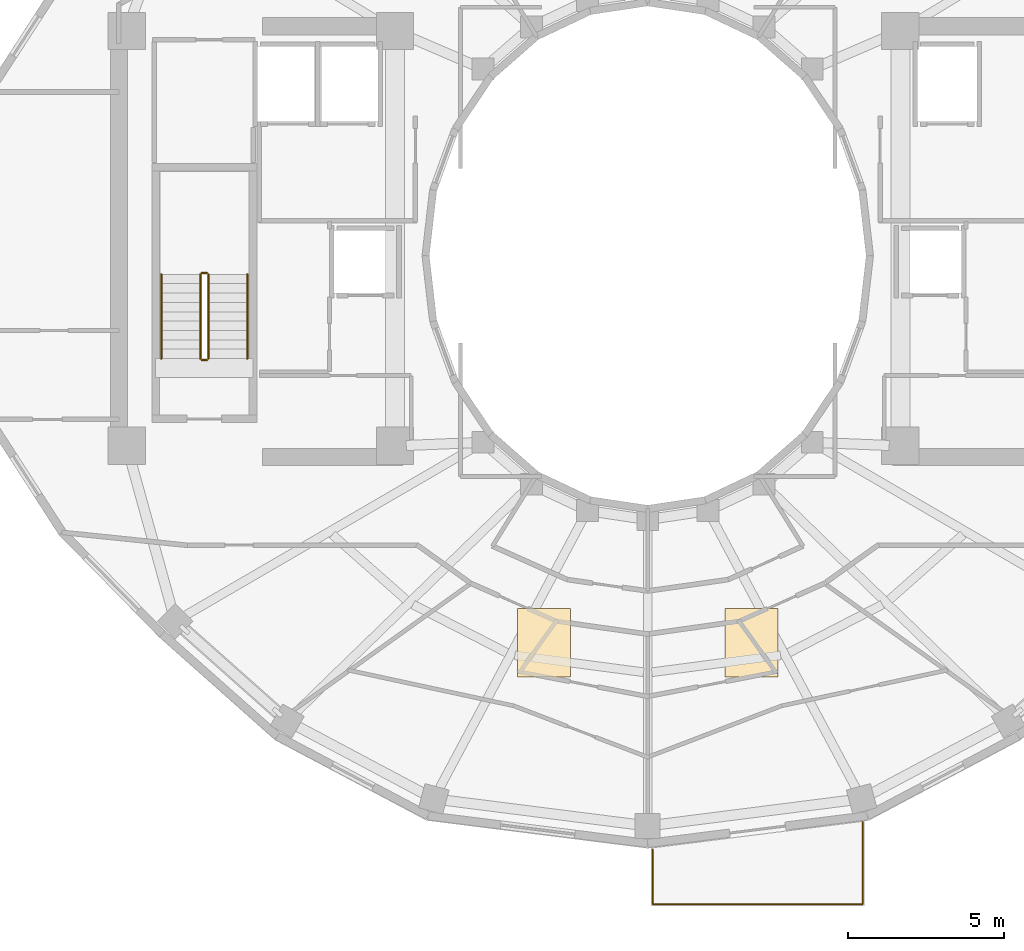
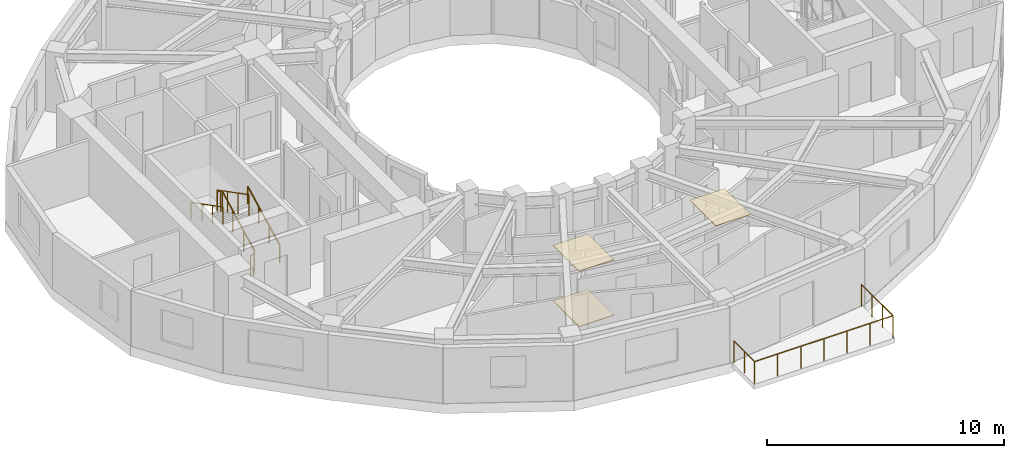
# One storey, part 8 of 9: 7 railings, 3 coverings.
"""IFC4 building model written with IfcOpenShell, lengths in metres."""

from ifc_helpers import new_model, si_unit, direction, frame, origin, origin_2d, place, context, subcontext, project, spatial, polyline, circle, outline, extrude, material, layer, layer_set, type_object, element, save


model = new_model("IFC4")

# Units and contexts
model_context = context("Model", 3, precision=1e-05, world=origin(), true_north=direction((0.0, 1.0)))
body_context = subcontext(model_context, "Body", "Model", "MODEL_VIEW")
ifc_project = project(units=[si_unit("LENGTHUNIT", "METRE"), si_unit("AREAUNIT", "SQUARE_METRE"), si_unit("VOLUMEUNIT", "CUBIC_METRE"), si_unit("PLANEANGLEUNIT", "RADIAN"), si_unit("MASSUNIT", "GRAM", prefix="KILO")], contexts=[model_context])

# Site, building, storey
site_placement = place(None, origin())
site = spatial("IfcSite", under=ifc_project, at=site_placement, CompositionType="ELEMENT")
building_placement = place(site_placement, origin())
building = spatial("IfcBuilding", under=site, at=building_placement, Name="Solvane Sanctuary Tower", CompositionType="ELEMENT")
storey_placement = place(building_placement, frame((0.0, 0.0, 220.199951171875)))
storey = spatial("IfcBuildingStorey", under=building, at=storey_placement, Name="L67", CompositionType="ELEMENT", Elevation=220.199951171875)

# Coverings
ifc_material_1 = material(Name="Acoustic Gypsum Partition Board")
ifc_layer_1 = layer(ifc_material_1, 0.02490234375, Name="Acoustic Gypsum Partition Board")
ifc_layer_set_1 = layer_set([ifc_layer_1], Name="Acoustic Gypsum Partition Board")
covering_type_1 = type_object("IfcCoveringType", Name="Covering CLG-ACOUST", PredefinedType="CEILING", material=ifc_layer_set_1)
covering_1_placement = place(storey_placement, frame((0.0, 0.0, 2.85009765625)))
element("IfcCovering", 1, at=covering_1_placement, inside=storey, type_object=covering_type_1, Name="L67 Unit Acoustic Ceiling Panel 4", PredefinedType="CEILING", context=body_context, shape_type="SweptSolid", body=[
    extrude(outline(polyline([(27.823974609375, 9.488037109375), (29.52392578125, 9.488037109375), (29.52392578125, 11.68798828125), (27.823974609375, 11.68798828125), (27.823974609375, 9.488037109375)])), origin(), (0.0, 0.0, 1.0), 0.030029296875),
])
covering_2_placement = place(storey_placement, frame((0.0, 0.0, 2.85009765625)))
element("IfcCovering", 2, at=covering_2_placement, inside=storey, type_object=covering_type_1, Name="L67 Unit Acoustic Ceiling Panel 5", PredefinedType="CEILING", context=body_context, shape_type="SweptSolid", body=[
    extrude(outline(polyline([(34.47607421875, 9.488037109375), (36.176025390625, 9.488037109375), (36.176025390625, 11.68798828125), (34.47607421875, 11.68798828125), (34.47607421875, 9.488037109375)])), origin(), (0.0, 0.0, 1.0), 0.030029296875),
])
ifc_material_2 = material(Name="Ceramic Tile Finish")
ifc_layer_2 = layer(ifc_material_2, 0.030029296875, Name="Ceramic Tile Finish")
ifc_layer_set_2 = layer_set([ifc_layer_2], Name="Ceramic Tile Finish")
covering_type_2 = type_object("IfcCoveringType", Name="Covering FLR-TERRAZZO", PredefinedType="FLOORING", material=ifc_layer_set_2)
covering_3_placement = place(storey_placement, origin())
element("IfcCovering", 3, at=covering_3_placement, inside=storey, type_object=covering_type_2, Name="L67 Unit Terrazzo Inlay 4", PredefinedType="FLOORING", context=body_context, shape_type="SweptSolid", body=[
    extrude(outline(polyline([(27.823974609375, 9.488037109375), (29.52392578125, 9.488037109375), (29.52392578125, 11.68798828125), (27.823974609375, 11.68798828125), (27.823974609375, 9.488037109375)])), origin(), (0.0, 0.0, 1.0), 0.03515625),
])

# Railings
ifc_material_3 = material(Name="Architectural Stainless Steel 316", Category="steel")
railing_type_1 = type_object("IfcRailingType", Name="Railing GR-BALC-1150", PredefinedType="BALUSTRADE", material=ifc_material_3)
railing_1_placement = place(storey_placement, frame((32.159912109375, 3.9599609375, 0.0)))
element("IfcRailing", 4, at=railing_1_placement, inside=storey, type_object=railing_type_1, Name="L67 South Crescent Sanctuary Terrace Balustrade", PredefinedType="BALUSTRADE", context=body_context, shape_type="SweptSolid", body=[
    extrude(circle(Radius=0.02392578125, at=origin_2d()), frame((0.0, 0.0, 1.1259765625), z_axis=(0.0, -1.0, 0.0), x_axis=(1.0, 0.0, 0.0)), (0.0, 0.0, 1.0), 1.75),
    extrude(circle(Radius=0.02392578125, at=origin_2d()), frame((0.0, -1.75, 1.1259765625), z_axis=(1.0, 0.0, 0.0), x_axis=(0.0, 1.0, 0.0)), (0.0, 0.0, 1.0), 6.72998046875),
    extrude(circle(Radius=0.02392578125, at=origin_2d()), frame((6.72998046875, -1.75, 1.1259765625), z_axis=(0.0, 1.0, 0.0), x_axis=(-1.0, 0.0, 0.0)), (0.0, 0.0, 1.0), 2.6435546875),
    extrude(circle(Radius=0.02099609375, at=origin_2d()), origin(), (0.0, 0.0, 1.0), 1.101806640625),
    extrude(circle(Radius=0.02099609375, at=origin_2d()), frame((0.0, -0.875, 0.0)), (0.0, 0.0, 1.0), 1.101806640625),
    extrude(circle(Radius=0.02099609375, at=origin_2d()), frame((0.0, -1.75, 0.0)), (0.0, 0.0, 1.0), 1.101806640625),
    extrude(circle(Radius=0.02099609375, at=origin_2d()), frame((1.12158203125, -1.75, 0.0)), (0.0, 0.0, 1.0), 1.101806640625),
    extrude(circle(Radius=0.02099609375, at=origin_2d()), frame((2.243408203125, -1.75, 0.0)), (0.0, 0.0, 1.0), 1.101806640625),
    extrude(circle(Radius=0.02099609375, at=origin_2d()), frame((3.364990234375, -1.75, 0.0)), (0.0, 0.0, 1.0), 1.101806640625),
    extrude(circle(Radius=0.02099609375, at=origin_2d()), frame((4.486572265625, -1.75, 0.0)), (0.0, 0.0, 1.0), 1.101806640625),
    extrude(circle(Radius=0.02099609375, at=origin_2d()), frame((5.6083984375, -1.75, 0.0)), (0.0, 0.0, 1.0), 1.101806640625),
    extrude(circle(Radius=0.02099609375, at=origin_2d()), frame((6.72998046875, -1.75, 0.0)), (0.0, 0.0, 1.0), 1.101806640625),
    extrude(circle(Radius=0.02099609375, at=origin_2d()), frame((6.72998046875, -0.868896484375, 0.0)), (0.0, 0.0, 1.0), 1.101806640625),
    extrude(circle(Radius=0.02099609375, at=origin_2d()), frame((6.72998046875, 0.012451171875, 0.0)), (0.0, 0.0, 1.0), 1.101806640625),
    extrude(circle(Radius=0.02099609375, at=origin_2d()), frame((6.72998046875, 0.8935546875, 0.0)), (0.0, 0.0, 1.0), 1.101806640625),
])
railing_2_placement = place(storey_placement, frame((17.919921875, 19.699951171875, 0.155029296875)))
element("IfcRailing", 5, at=railing_2_placement, inside=storey, type_object=railing_type_1, Name="L67 ST-1 stair guard 1", PredefinedType="BALUSTRADE", context=body_context, shape_type="SweptSolid", body=[
    extrude(circle(Radius=0.02392578125, at=origin_2d()), frame((0.0, 0.0, 1.076171875), z_axis=(0.0, 0.888419900624, 0.459031676658), x_axis=(-1.0, 0.0, 0.0)), (0.0, 0.0, 1.0), 3.0390625),
    extrude(circle(Radius=0.02099609375, at=origin_2d()), origin(), (0.0, 0.0, 1.0), 1.052001953125),
    extrude(circle(Radius=0.02099609375, at=origin_2d()), frame((0.0, 0.89990234375, 0.465087890625)), (0.0, 0.0, 1.0), 1.052001953125),
    extrude(circle(Radius=0.02099609375, at=origin_2d()), frame((0.0, 1.800048828125, 0.929931640625)), (0.0, 0.0, 1.0), 1.052001953125),
    extrude(circle(Radius=0.02099609375, at=origin_2d()), frame((0.0, 2.699951171875, 1.39501953125)), (0.0, 0.0, 1.0), 1.052001953125),
])
railing_3_placement = place(storey_placement, frame((17.8701171875, 22.449951171875, 1.550048828125)))
element("IfcRailing", 6, at=railing_3_placement, inside=storey, type_object=railing_type_1, Name="L67 ST-1 stair guard 2", PredefinedType="BALUSTRADE", context=body_context, shape_type="SweptSolid", body=[
    extrude(circle(Radius=0.02392578125, at=origin_2d()), frame((0.0, 0.0, 1.076171875), z_axis=(-1.0, 0.0, 0.0), x_axis=(0.0, -1.0, 0.0)), (0.0, 0.0, 1.0), 0.16015625),
    extrude(circle(Radius=0.02099609375, at=origin_2d()), origin(), (0.0, 0.0, 1.0), 1.052001953125),
    extrude(circle(Radius=0.02099609375, at=origin_2d()), frame((-0.16015625, 0.0, 0.0)), (0.0, 0.0, 1.0), 1.052001953125),
])
railing_4_placement = place(storey_placement, frame((17.659912109375, 22.39990234375, 1.705078125)))
element("IfcRailing", 7, at=railing_4_placement, inside=storey, type_object=railing_type_1, Name="L67 ST-1 stair guard 3", PredefinedType="BALUSTRADE", context=body_context, shape_type="SweptSolid", body=[
    extrude(circle(Radius=0.02392578125, at=origin_2d()), frame((0.0, 0.0, 1.076171875), z_axis=(0.0, -0.888419900624, 0.459031676658), x_axis=(1.0, 0.0, 0.0)), (0.0, 0.0, 1.0), 3.0390625),
    extrude(circle(Radius=0.02099609375, at=origin_2d()), origin(), (0.0, 0.0, 1.0), 1.052001953125),
    extrude(circle(Radius=0.02099609375, at=origin_2d()), frame((0.0, -0.89990234375, 0.465087890625)), (0.0, 0.0, 1.0), 1.052001953125),
    extrude(circle(Radius=0.02099609375, at=origin_2d()), frame((0.0, -1.800048828125, 0.929931640625)), (0.0, 0.0, 1.0), 1.052001953125),
    extrude(circle(Radius=0.02099609375, at=origin_2d()), frame((0.0, -2.699951171875, 1.39501953125)), (0.0, 0.0, 1.0), 1.052001953125),
])
railing_5_placement = place(storey_placement, frame((17.8701171875, 19.64990234375, 0.0)))
element("IfcRailing", 8, at=railing_5_placement, inside=storey, type_object=railing_type_1, Name="L67 ST-1 stair guard 4", PredefinedType="BALUSTRADE", context=body_context, shape_type="SweptSolid", body=[
    extrude(circle(Radius=0.02392578125, at=origin_2d()), frame((0.0, 0.0, 1.076171875), z_axis=(-1.0, 0.0, 0.0), x_axis=(0.0, -1.0, 0.0)), (0.0, 0.0, 1.0), 0.16015625),
    extrude(circle(Radius=0.02099609375, at=origin_2d()), origin(), (0.0, 0.0, 1.0), 1.052001953125),
    extrude(circle(Radius=0.02099609375, at=origin_2d()), frame((-0.16015625, 0.0, 0.0)), (0.0, 0.0, 1.0), 1.052001953125),
])
railing_type_2 = type_object("IfcRailingType", Name="Railing HR-STAIR-920", PredefinedType="HANDRAIL", material=ifc_material_3)
railing_6_placement = place(storey_placement, frame((19.169921875, 19.699951171875, 0.155029296875)))
element("IfcRailing", 9, at=railing_6_placement, inside=storey, type_object=railing_type_2, Name="L67 ST-1 stair handrail 1", PredefinedType="HANDRAIL", context=body_context, shape_type="SweptSolid", body=[
    extrude(circle(Radius=0.02392578125, at=origin_2d()), frame((0.0, 0.0, 0.8759765625), z_axis=(0.0, 0.888419900624, 0.459031676658), x_axis=(-1.0, 0.0, 0.0)), (0.0, 0.0, 1.0), 3.0390625),
    extrude(circle(Radius=0.02099609375, at=origin_2d()), origin(), (0.0, 0.0, 1.0), 0.851806640625),
    extrude(circle(Radius=0.02099609375, at=origin_2d()), frame((0.0, 0.89990234375, 0.465087890625)), (0.0, 0.0, 1.0), 0.851806640625),
    extrude(circle(Radius=0.02099609375, at=origin_2d()), frame((0.0, 1.800048828125, 0.929931640625)), (0.0, 0.0, 1.0), 0.851806640625),
    extrude(circle(Radius=0.02099609375, at=origin_2d()), frame((0.0, 2.699951171875, 1.39501953125)), (0.0, 0.0, 1.0), 0.851806640625),
])
railing_7_placement = place(storey_placement, frame((16.409912109375, 22.39990234375, 1.705078125)))
element("IfcRailing", 10, at=railing_7_placement, inside=storey, type_object=railing_type_2, Name="L67 ST-1 stair handrail 2", PredefinedType="HANDRAIL", context=body_context, shape_type="SweptSolid", body=[
    extrude(circle(Radius=0.02392578125, at=origin_2d()), frame((0.0, 0.0, 0.8759765625), z_axis=(0.0, -0.888419900624, 0.459031676658), x_axis=(1.0, 0.0, 0.0)), (0.0, 0.0, 1.0), 3.0390625),
    extrude(circle(Radius=0.02099609375, at=origin_2d()), origin(), (0.0, 0.0, 1.0), 0.851806640625),
    extrude(circle(Radius=0.02099609375, at=origin_2d()), frame((0.0, -0.89990234375, 0.465087890625)), (0.0, 0.0, 1.0), 0.851806640625),
    extrude(circle(Radius=0.02099609375, at=origin_2d()), frame((0.0, -1.800048828125, 0.929931640625)), (0.0, 0.0, 1.0), 0.851806640625),
    extrude(circle(Radius=0.02099609375, at=origin_2d()), frame((0.0, -2.699951171875, 1.39501953125)), (0.0, 0.0, 1.0), 0.851806640625),
])

save(model, "model.ifc")
